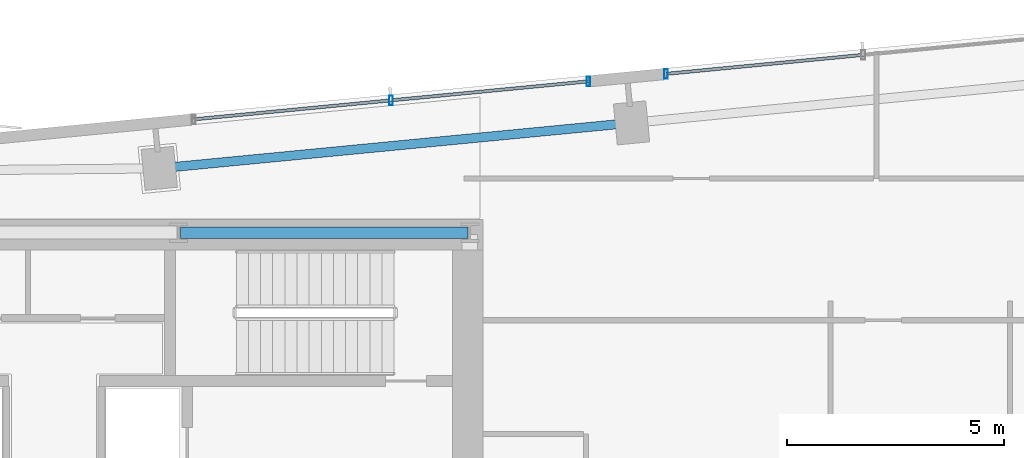
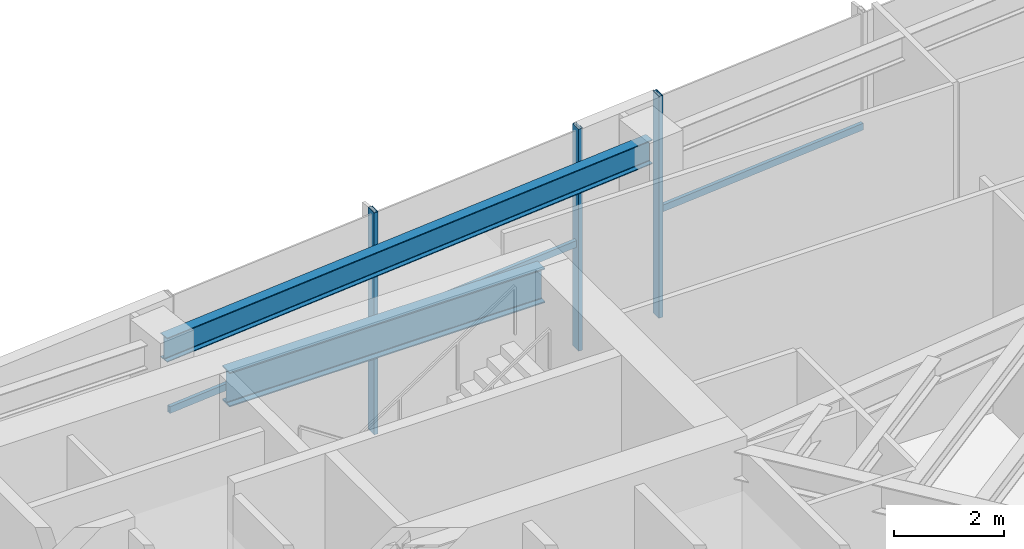
# One storey, part 11 of 21: 6 members, 2 beams, 2 elements without a shape of their own.
"""IFC4 building model written with IfcOpenShell, lengths in metres."""

from ifc_helpers import new_model, si_unit, direction, frame, origin, origin_2d, place, context, subcontext, project, spatial, hollow_rectangle, i_section, extrude, source, transform, mapped, material, material_profile, profile_set, type_object, type_shapes, element, aggregate, save


model = new_model("IFC4")

# Units and contexts
model_context = context("Model", 3, precision=1e-05, world=origin(), true_north=direction((0.0, 1.0)))
body_context = subcontext(model_context, "Body", "Model", "MODEL_VIEW")
ifc_project = project(units=[si_unit("LENGTHUNIT", "METRE"), si_unit("AREAUNIT", "SQUARE_METRE"), si_unit("VOLUMEUNIT", "CUBIC_METRE"), si_unit("PLANEANGLEUNIT", "RADIAN"), si_unit("MASSUNIT", "GRAM", prefix="KILO")], contexts=[model_context])

# Site, building, storey
site_placement = place(None, origin())
site = spatial("IfcSite", under=ifc_project, at=site_placement, CompositionType="ELEMENT")
building_placement = place(site_placement, origin())
building = spatial("IfcBuilding", under=site, at=building_placement, Name="Astriad Promenade Condominiums", CompositionType="ELEMENT")
storey_placement = place(building_placement, frame((0.0, 0.0, 167.800048828125)))
storey = spatial("IfcBuildingStorey", under=building, at=storey_placement, Name="L48", CompositionType="ELEMENT", Elevation=167.800048828125)

# Beams
ifc_material_1 = material(Name="Steel ASTM A992 Grade 50", Category="steel")
ifc_material_profile_1 = material_profile(ifc_material_1, i_section(OverallWidth=0.267822265625, OverallDepth=0.76953125, WebThickness=0.015625, FlangeThickness=0.025390625, FilletRadius=0.021484375, at=origin_2d()), Name="W30X132")
ifc_profile_set_1 = profile_set([ifc_material_profile_1], Name="Steel ASTM A992 Grade 50")
beam_type_1 = type_object("IfcBeamType", Name="STEEL FLOOR GIRDER W30X132", PredefinedType="BEAM", material=ifc_profile_set_1)
shared_shape_1 = source(origin(), body_context, "Body", "SweptSolid", [
    extrude(i_section(OverallWidth=0.267822265625, OverallDepth=0.76953125, WebThickness=0.015625, FlangeThickness=0.025390625, FilletRadius=0.021484375, at=origin_2d()), origin(), (0.0, 0.0, 1.0), 6.64013671875),
])
type_shapes(beam_type_1, [shared_shape_1])
beam_1_placement = place(storey_placement, frame((38.919921875, 24.0, 4.55517578125), z_axis=(1.0, 0.0, 0.0), x_axis=(0.0, 1.0, 0.0)))
element("IfcBeam", 1, at=beam_1_placement, inside=storey, type_object=beam_type_1, Name="Core Ring Beam CG-N3-L48", PredefinedType="BEAM", context=body_context, shape_type="MappedRepresentation", body=[
    mapped(shared_shape_1, transform((0.0, 0.0, 0.0), scale=1.0)),
])
ifc_material_profile_2 = material_profile(ifc_material_1, i_section(OverallWidth=0.210693359375, OverallDepth=0.53955078125, WebThickness=0.01171875, FlangeThickness=0.018798828125, FilletRadius=0.0166015625, at=origin_2d()), Name="W21X73")
ifc_profile_set_2 = profile_set([ifc_material_profile_2], Name="Steel ASTM A992 Grade 50")
beam_type_2 = type_object("IfcBeamType", Name="STEEL SPANDREL BEAM W21X73", PredefinedType="SPANDREL", material=ifc_profile_set_2)
shared_shape_2 = source(origin(), body_context, "Body", "SweptSolid", [
    extrude(i_section(OverallWidth=0.210693359375, OverallDepth=0.53955078125, WebThickness=0.01171875, FlangeThickness=0.018798828125, FilletRadius=0.0166015625, at=origin_2d()), origin(), (0.0, 0.0, 1.0), 10.869873046875),
])
type_shapes(beam_type_2, [shared_shape_2])
beam_2_placement = place(storey_placement, frame((49.291015625, 26.52880859375, 4.670166015625), z_axis=(-0.995394779798, -0.09586048378, 0.0), x_axis=(0.09586048378, -0.995394779798, 0.0)))
element("IfcBeam", 2, at=beam_2_placement, inside=storey, type_object=beam_type_2, Name="Perimeter Spandrel Beam SP-N3-L48", PredefinedType="SPANDREL", context=body_context, shape_type="MappedRepresentation", body=[
    mapped(shared_shape_2, transform((0.0, 0.0, 0.0), scale=1.0)),
])

# Curtain wall, members
ifc_material_2 = material(Name="Anodised aluminium Black Dark Glass Unitised", Category="aluminium")
curtain_wall_type = type_object("IfcCurtainWallType", Name="CW-B34-DARK", PredefinedType="USERDEFINED", material=ifc_material_2)
curtain_wall_1_placement = place(storey_placement, origin())
curtain_wall_1 = element("IfcCurtainWall", 3, at=curtain_wall_1_placement, inside=storey, type_object=curtain_wall_type, Name="CW-L48-N-3", ObjectType="UNITISED_CURTAIN_WALL", PredefinedType="USERDEFINED")
ifc_material_3 = material(Name="Anodised aluminium 6063-T6 Black", Category="aluminium")
ifc_material_profile_3 = material_profile(ifc_material_3, hollow_rectangle(XDim=0.0849609375, YDim=0.219970703125, WallThickness=0.0048828125, at=origin_2d()), Name="ALU-MUL-85X220")
ifc_profile_set_3 = profile_set([ifc_material_profile_3], Name="Anodised aluminium 6063-T6 Black")
member_type_1 = type_object("IfcMemberType", Name="MUL-ALU-MUL-85X220", PredefinedType="MULLION", material=ifc_profile_set_3)
shared_shape_3 = source(origin(), body_context, "Body", "SweptSolid", [
    extrude(hollow_rectangle(XDim=0.0849609375, YDim=0.219970703125, WallThickness=0.0048828125, at=origin_2d()), origin(), (0.0, 0.0, 1.0), 4.93994140625),
])
type_shapes(member_type_1, [shared_shape_3])
member_1_placement = place(storey_placement, frame((43.780517578125, 27.052978515625, 0.0), z_axis=(0.0, 0.0, 1.0), x_axis=(1.0, 0.0, 0.0)))
member_1 = element("IfcMember", 4, at=member_1_placement, type_object=member_type_1, Name="CW-L48-N-3-MUL-01", PredefinedType="MULLION", context=body_context, shape_type="MappedRepresentation", body=[
    mapped(shared_shape_3, transform((0.0, 0.0, 0.0), scale=1.0)),
])
member_2_placement = place(storey_placement, frame((48.33447265625, 27.491455078125, 0.0), z_axis=(0.0, 0.0, 1.0), x_axis=(1.0, 0.0, 0.0)))
member_2 = element("IfcMember", 5, at=member_2_placement, type_object=member_type_1, Name="CW-L48-N-3-MUL-02", PredefinedType="MULLION", context=body_context, shape_type="MappedRepresentation", body=[
    mapped(shared_shape_3, transform((0.0, 0.0, 0.0), scale=1.0)),
])

# Curtain wall, member
curtain_wall_2_placement = place(storey_placement, origin())
curtain_wall_2 = element("IfcCurtainWall", 6, at=curtain_wall_2_placement, inside=storey, type_object=curtain_wall_type, Name="CW-L48-N-4", ObjectType="UNITISED_CURTAIN_WALL", PredefinedType="USERDEFINED")
member_3_placement = place(storey_placement, frame((50.126220703125, 27.6640625, 0.0), z_axis=(0.0, 0.0, 1.0), x_axis=(1.0, 0.0, 0.0)))
member_3 = element("IfcMember", 7, at=member_3_placement, type_object=member_type_1, Name="CW-L48-N-4-MUL-00", PredefinedType="MULLION", context=body_context, shape_type="MappedRepresentation", body=[
    mapped(shared_shape_3, transform((0.0, 0.0, 0.0), scale=1.0)),
])

# Member
ifc_material_profile_4 = material_profile(ifc_material_3, hollow_rectangle(XDim=0.074951171875, YDim=0.14990234375, WallThickness=0.004150390625, at=origin_2d()), Name="ALU-TRN-75X150")
ifc_profile_set_4 = profile_set([ifc_material_profile_4], Name="Anodised aluminium 6063-T6 Black")
member_type_2 = type_object("IfcMemberType", Name="TRN-ALU-TRN-75X150", PredefinedType="USERDEFINED", material=ifc_profile_set_4)
shared_shape_4 = source(origin(), body_context, "Body", "SweptSolid", [
    extrude(hollow_rectangle(XDim=0.074951171875, YDim=0.14990234375, WallThickness=0.004150390625, at=origin_2d()), origin(), (0.0, 0.0, 1.0), 4.574951171875),
])
type_shapes(member_type_2, [shared_shape_4])
member_4_placement = place(storey_placement, frame((39.2265625, 26.614501953125, 2.349853515625), z_axis=(0.995396603696, 0.095841542928, 0.0), x_axis=(-0.095841542928, 0.995396603696, 0.0)))
member_4 = element("IfcMember", 8, at=member_4_placement, type_object=member_type_2, Name="CW-L48-N-3-TRN-00-0", ObjectType="TRANSOM", PredefinedType="USERDEFINED", context=body_context, shape_type="MappedRepresentation", body=[
    mapped(shared_shape_4, transform((0.0, 0.0, 0.0), scale=1.0)),
])

member_5_placement = place(storey_placement, frame((43.780517578125, 27.052978515625, 2.349853515625), z_axis=(0.995396603696, 0.095841542928, 0.0), x_axis=(-0.095841542928, 0.995396603696, 0.0)))
member_5 = element("IfcMember", 9, at=member_5_placement, type_object=member_type_2, Name="CW-L48-N-3-TRN-01-0", ObjectType="TRANSOM", PredefinedType="USERDEFINED", context=body_context, shape_type="MappedRepresentation", body=[
    mapped(shared_shape_4, transform((0.0, 0.0, 0.0), scale=1.0)),
])

aggregate(curtain_wall_1, [member_1, member_2, member_4, member_5])

member_6_placement = place(storey_placement, frame((50.126220703125, 27.6640625, 2.349853515625), z_axis=(0.995396603696, 0.095841542928, 0.0), x_axis=(-0.095841542928, 0.995396603696, 0.0)))
member_6 = element("IfcMember", 10, at=member_6_placement, type_object=member_type_2, Name="CW-L48-N-4-TRN-00-0", ObjectType="TRANSOM", PredefinedType="USERDEFINED", context=body_context, shape_type="MappedRepresentation", body=[
    mapped(shared_shape_4, transform((0.0, 0.0, 0.0), scale=1.0)),
])

aggregate(curtain_wall_2, [member_3, member_6])

save(model, "model.ifc")
